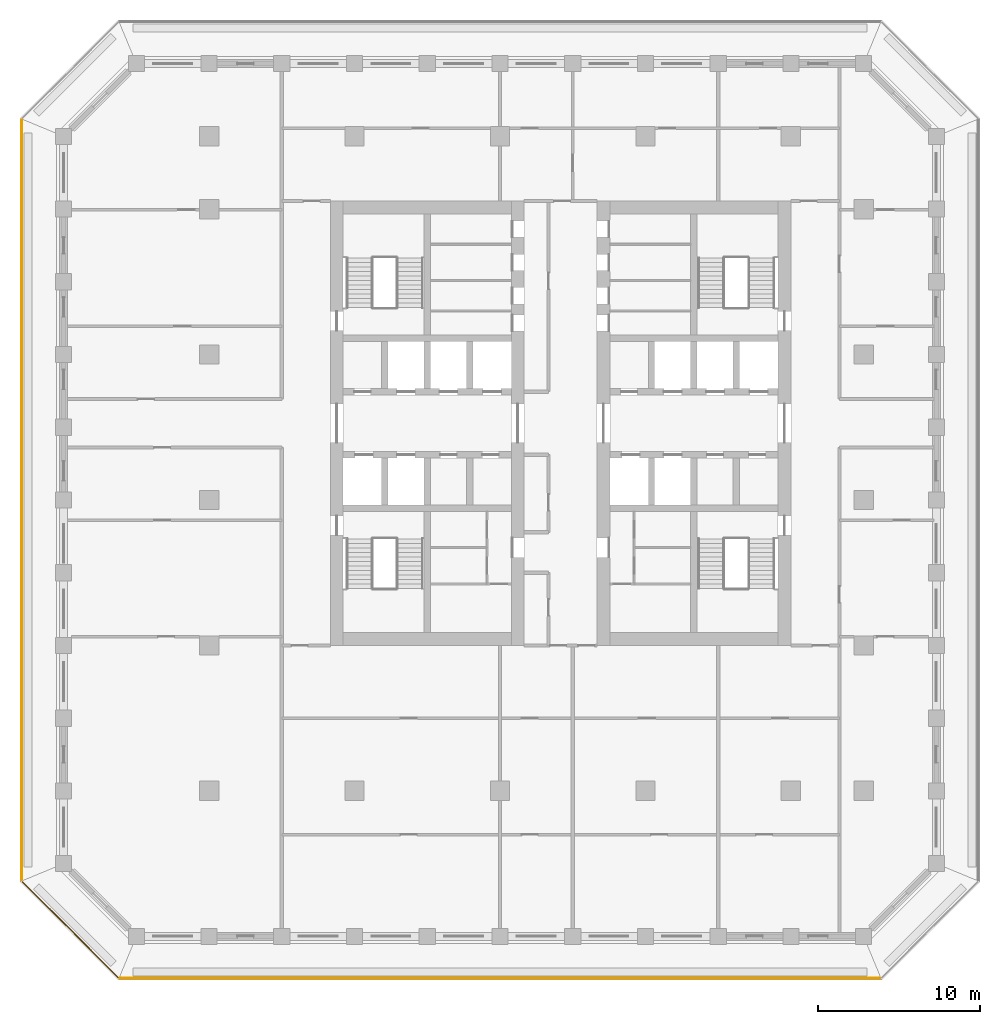
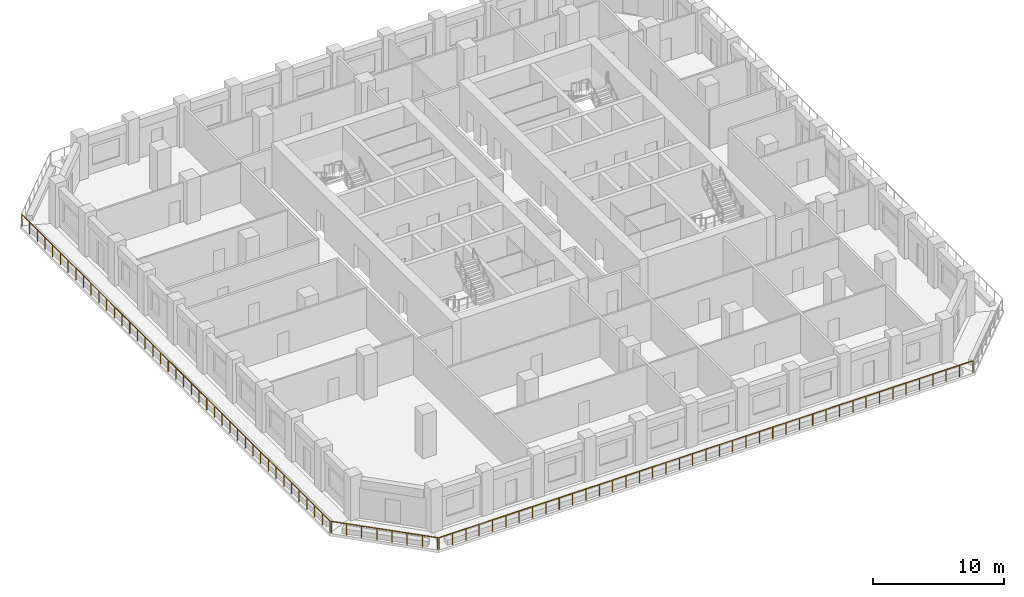
# One storey, part 9 of 16: 3 railings.
"""IFC4 building model written with IfcOpenShell, lengths in metres."""

import ifcopenshell
import ifcopenshell.guid

model = None  # the IFC model being written
_history = None  # IfcOwnerHistory: only IFC2X3 demands one
_inside = {}  # id of a spatial element -> (the spatial element, [elements in it])
_under = {}  # id of a project, library or spatial element -> (it, [spatial elements below it])
_declared = {}  # id of a project -> (the project, [libraries it declares])
_typed = {}  # id of a type object -> (the type object, [elements of that type])
_made_of = {}  # id of a material, layer set ... -> (it, [elements and type objects made of it])


def new_model(schema):
    """Start an empty IFC model of exactly this schema.

    Asked for "IFC4X3", IfcOpenShell would pick the latest addendum, in which some entities
    have other attributes; the version numbers below select the first issue.
    IFC2X3 requires an IfcOwnerHistory on every rooted entity: one is made here for all.
    """
    global model, _history
    if schema == "IFC4X3":
        model = ifcopenshell.file(schema_version=(4, 3, 0, 0))
    else:
        model = ifcopenshell.file(schema=schema)
    _inside.clear()
    _under.clear()
    _declared.clear()
    _typed.clear()
    _made_of.clear()
    _history = None
    if model.schema == "IFC2X3":
        org = make("IfcOrganization", Name="unknown")
        user = make(
            "IfcPersonAndOrganization",
            ThePerson=make("IfcPerson", FamilyName="unknown"),
            TheOrganization=org,
        )
        app = make(
            "IfcApplication",
            ApplicationDeveloper=org,
            Version="unknown",
            ApplicationFullName="unknown",
            ApplicationIdentifier="unknown",
        )
        _history = make(
            "IfcOwnerHistory",
            OwningUser=user,
            OwningApplication=app,
            ChangeAction="ADDED",
            CreationDate=0,
        )
    return model


def make(cls, **values):
    """One entity of the class cls with the attributes given. An attribute that is None is left unset."""
    return model.create_entity(
        cls, **{name: value for name, value in values.items() if value is not None}
    )


def rooted(cls, **values):
    """An entity with a GlobalId (a new one), such as an element, a storey or a relation."""
    return make(cls, GlobalId=ifcopenshell.guid.new(), OwnerHistory=_history, **values)


def si_unit(unit_type, name, prefix=None):
    """IfcSIUnit, for example si_unit("LENGTHUNIT", "METRE", prefix="MILLI")."""
    return make("IfcSIUnit", UnitType=unit_type, Prefix=prefix, Name=name)


def assignment(units):
    """IfcUnitAssignment: the units of a project."""
    return None if units is None else make("IfcUnitAssignment", Units=units)


def point(xyz):
    """IfcCartesianPoint."""
    return None if xyz is None else make("IfcCartesianPoint", Coordinates=xyz)


def direction(xyz):
    """IfcDirection."""
    return None if xyz is None else make("IfcDirection", DirectionRatios=xyz)


def frame(location, z_axis=None, x_axis=None):
    """IfcAxis2Placement3D, a coordinate frame: its origin and axes. An axis left out is left unset."""
    return make(
        "IfcAxis2Placement3D",
        Location=point(location),
        Axis=direction(z_axis),
        RefDirection=direction(x_axis),
    )


def frame_2d(location, x_axis=None):
    """IfcAxis2Placement2D, a coordinate frame in the plane: its origin and x axis."""
    return make(
        "IfcAxis2Placement2D", Location=point(location), RefDirection=direction(x_axis)
    )


def origin():
    """The frame at (0, 0, 0) with its axes left unset."""
    return frame((0.0, 0.0, 0.0))


def origin_2d():
    """The frame at (0, 0) in the plane with its x axis left unset."""
    return frame_2d((0.0, 0.0))


def place(relative_to, where):
    """IfcLocalPlacement: puts the frame where relative to a parent placement (None: the world)."""
    return make(
        "IfcLocalPlacement", PlacementRelTo=relative_to, RelativePlacement=where
    )


def context(
    kind, dimensions, precision=None, world=None, true_north=None, identifier=None
):
    """IfcGeometricRepresentationContext, for example the 3D "Model" context."""
    return make(
        "IfcGeometricRepresentationContext",
        ContextIdentifier=identifier,
        ContextType=kind,
        CoordinateSpaceDimension=dimensions,
        Precision=precision,
        WorldCoordinateSystem=world,
        TrueNorth=true_north,
    )


def subcontext(parent, identifier, kind, view, scale=None):
    """IfcGeometricRepresentationSubContext, for example "Body" below "Model"."""
    return make(
        "IfcGeometricRepresentationSubContext",
        ContextIdentifier=identifier,
        ContextType=kind,
        ParentContext=parent,
        TargetScale=scale,
        TargetView=view,
    )


def project(units=None, contexts=None):
    """IfcProject with its units and contexts."""
    return rooted(
        "IfcProject",
        Name="project",
        RepresentationContexts=contexts,
        UnitsInContext=assignment(units),
    )


def spatial(cls, under=None, at=None, **own):
    """A site, building, storey or space (cls), placed at a placement, below another one or the project."""
    s = rooted(cls, ObjectPlacement=at, **own)
    if under is not None:
        _under.setdefault(under.id(), (under, []))[1].append(s)
    return s


def profile(cls, at=None, kind="AREA", **sizes):
    """A parametric profile (cls). Its sizes go by their IFC names, for example OverallWidth=200.0."""
    return make(cls, ProfileType=kind, Position=at, **sizes)


def circle(**sizes):
    """IfcCircleProfileDef."""
    return profile("IfcCircleProfileDef", **sizes)


def extrude(swept, where, along, depth):
    """IfcExtrudedAreaSolid: the profile swept, set in the frame where, extruded along a direction by depth."""
    return make(
        "IfcExtrudedAreaSolid",
        SweptArea=swept,
        Position=where,
        ExtrudedDirection=direction(along),
        Depth=depth,
    )


def shape(context_of_items, identifier, shape_type, items):
    """IfcShapeRepresentation: the items that make up one representation, for example the "Body"."""
    return make(
        "IfcShapeRepresentation",
        ContextOfItems=context_of_items,
        RepresentationIdentifier=identifier,
        RepresentationType=shape_type,
        Items=items,
    )


def material(Name=None, Category=None):
    """IfcMaterial."""
    return make("IfcMaterial", Name=Name, Category=Category)


def made_of(thing, what):
    """Note that an element or type object is made of a material, layer set ...; save() writes the relation."""
    if what is not None:
        _made_of.setdefault(what.id(), (what, []))[1].append(thing)
    return thing


def type_object(cls, material=None, **own):
    """A type object (cls), such as IfcWallType, which elements share."""
    return made_of(rooted(cls, **own), material)


def element(
    cls,
    number,
    at=None,
    inside=None,
    cuts=None,
    type_object=None,
    material=None,
    context=None,
    identifier="Body",
    shape_type=None,
    held_by="IfcProductDefinitionShape",
    body=None,
    shapes=None,
    **own,
):
    """One element of the class cls, such as IfcWall. Its Tag is "e" and its number.

    at: its placement. inside: the storey or other place that contains it. cuts: it is an
    opening in that element (IfcRelVoidsElement). A single representation is given by context,
    identifier, shape_type and body (its items); several are given by shapes. held_by: the class
    of the entity that holds the representations. save() writes the other relations.
    """
    e = rooted(cls, Tag="e%d" % number, ObjectPlacement=at, **own)
    if body is not None:
        shapes = [shape(context, identifier, shape_type, body)]
    if shapes is not None:
        e.Representation = make(held_by, Representations=shapes)
    if inside is not None:
        _inside.setdefault(inside.id(), (inside, []))[1].append(e)
    if cuts is not None:
        rooted(
            "IfcRelVoidsElement", RelatingBuildingElement=cuts, RelatedOpeningElement=e
        )
    if type_object is not None:
        _typed.setdefault(type_object.id(), (type_object, []))[1].append(e)
    return made_of(e, material)


def aggregate(whole, parts):
    """IfcRelAggregates: a whole, such as a stair, and the parts it consists of."""
    return rooted("IfcRelAggregates", RelatingObject=whole, RelatedObjects=parts)


def save(model, path):
    """Write the relations noted so far, then the file.

    IfcRelAggregates (storeys below a building ...), IfcRelContainedInSpatialStructure (elements
    in a storey), IfcRelDefinesByType, IfcRelAssociatesMaterial and IfcRelDeclares: one each for
    every whole, place, type object, material and project.
    """
    for whole, parts in _under.values():
        aggregate(whole, parts)
    for where, things in _inside.values():
        rooted(
            "IfcRelContainedInSpatialStructure",
            RelatedElements=things,
            RelatingStructure=where,
        )
    for kind, things in _typed.values():
        rooted("IfcRelDefinesByType", RelatedObjects=things, RelatingType=kind)
    for what, things in _made_of.values():
        rooted("IfcRelAssociatesMaterial", RelatedObjects=things, RelatingMaterial=what)
    for by, libraries in _declared.values():
        rooted("IfcRelDeclares", RelatingContext=by, RelatedDefinitions=libraries)
    model.write(path)


model = new_model("IFC4")

# Units and contexts
model_context = context("Model", 3, precision=1e-05, world=origin(), true_north=direction((0.0, 1.0)))
body_context = subcontext(model_context, "Body", "Model", "MODEL_VIEW")
ifc_project = project(units=[si_unit("LENGTHUNIT", "METRE"), si_unit("AREAUNIT", "SQUARE_METRE"), si_unit("VOLUMEUNIT", "CUBIC_METRE"), si_unit("PLANEANGLEUNIT", "RADIAN"), si_unit("MASSUNIT", "GRAM", prefix="KILO")], contexts=[model_context])

# Site, building, storey
site_placement = place(None, origin())
site = spatial("IfcSite", under=ifc_project, at=site_placement, CompositionType="ELEMENT")
building_placement = place(site_placement, origin())
building = spatial("IfcBuilding", under=site, at=building_placement, Name="Corbel Stack Research Tower", CompositionType="ELEMENT")
storey_placement = place(building_placement, frame((0.0, 0.0, 160.89990234375)))
storey = spatial("IfcBuildingStorey", under=building, at=storey_placement, Name="L36", CompositionType="ELEMENT", Elevation=160.89990234375)

# Railings
ifc_material = material(Name="Powder-coated steel guard", Category="steel")
railing_type = type_object("IfcRailingType", Name="Steel and glass guard 1100", PredefinedType="GUARDRAIL", material=ifc_material)
railing_1_placement = place(storey_placement, frame((-23.50537109375, -29.60009765625, 0.0)))
element("IfcRailing", 1, at=railing_1_placement, inside=storey, type_object=railing_type, Name="Loggia guard L36 S", PredefinedType="GUARDRAIL", context=body_context, shape_type="SweptSolid", body=[
    extrude(circle(Radius=0.02392578125, at=origin_2d()), frame((0.0, 0.0, 1.076171875), z_axis=(1.0, 0.0, 0.0), x_axis=(0.0, 1.0, 0.0)), (0.0, 0.0, 1.0), 47.0107421875),
    extrude(circle(Radius=0.02099609375, at=origin_2d()), origin(), (0.0, 0.0, 1.0), 1.052001953125),
    extrude(circle(Radius=0.02099609375, at=origin_2d()), frame((1.17529296875, 0.0, 0.0)), (0.0, 0.0, 1.0), 1.052001953125),
    extrude(circle(Radius=0.02099609375, at=origin_2d()), frame((2.3505859375, 0.0, 0.0)), (0.0, 0.0, 1.0), 1.052001953125),
    extrude(circle(Radius=0.02099609375, at=origin_2d()), frame((3.52587890625, 0.0, 0.0)), (0.0, 0.0, 1.0), 1.052001953125),
    extrude(circle(Radius=0.02099609375, at=origin_2d()), frame((4.701171875, 0.0, 0.0)), (0.0, 0.0, 1.0), 1.052001953125),
    extrude(circle(Radius=0.02099609375, at=origin_2d()), frame((5.87646484375, 0.0, 0.0)), (0.0, 0.0, 1.0), 1.052001953125),
    extrude(circle(Radius=0.02099609375, at=origin_2d()), frame((7.051513671875, 0.0, 0.0)), (0.0, 0.0, 1.0), 1.052001953125),
    extrude(circle(Radius=0.02099609375, at=origin_2d()), frame((8.226806640625, 0.0, 0.0)), (0.0, 0.0, 1.0), 1.052001953125),
    extrude(circle(Radius=0.02099609375, at=origin_2d()), frame((9.402099609375, 0.0, 0.0)), (0.0, 0.0, 1.0), 1.052001953125),
    extrude(circle(Radius=0.02099609375, at=origin_2d()), frame((10.577392578125, 0.0, 0.0)), (0.0, 0.0, 1.0), 1.052001953125),
    extrude(circle(Radius=0.02099609375, at=origin_2d()), frame((11.752685546875, 0.0, 0.0)), (0.0, 0.0, 1.0), 1.052001953125),
    extrude(circle(Radius=0.02099609375, at=origin_2d()), frame((12.927978515625, 0.0, 0.0)), (0.0, 0.0, 1.0), 1.052001953125),
    extrude(circle(Radius=0.02099609375, at=origin_2d()), frame((14.103271484375, 0.0, 0.0)), (0.0, 0.0, 1.0), 1.052001953125),
    extrude(circle(Radius=0.02099609375, at=origin_2d()), frame((15.278564453125, 0.0, 0.0)), (0.0, 0.0, 1.0), 1.052001953125),
    extrude(circle(Radius=0.02099609375, at=origin_2d()), frame((16.453857421875, 0.0, 0.0)), (0.0, 0.0, 1.0), 1.052001953125),
    extrude(circle(Radius=0.02099609375, at=origin_2d()), frame((17.62890625, 0.0, 0.0)), (0.0, 0.0, 1.0), 1.052001953125),
    extrude(circle(Radius=0.02099609375, at=origin_2d()), frame((18.80419921875, 0.0, 0.0)), (0.0, 0.0, 1.0), 1.052001953125),
    extrude(circle(Radius=0.02099609375, at=origin_2d()), frame((19.9794921875, 0.0, 0.0)), (0.0, 0.0, 1.0), 1.052001953125),
    extrude(circle(Radius=0.02099609375, at=origin_2d()), frame((21.15478515625, 0.0, 0.0)), (0.0, 0.0, 1.0), 1.052001953125),
    extrude(circle(Radius=0.02099609375, at=origin_2d()), frame((22.330078125, 0.0, 0.0)), (0.0, 0.0, 1.0), 1.052001953125),
    extrude(circle(Radius=0.02099609375, at=origin_2d()), frame((23.50537109375, 0.0, 0.0)), (0.0, 0.0, 1.0), 1.052001953125),
    extrude(circle(Radius=0.02099609375, at=origin_2d()), frame((24.6806640625, 0.0, 0.0)), (0.0, 0.0, 1.0), 1.052001953125),
    extrude(circle(Radius=0.02099609375, at=origin_2d()), frame((25.85595703125, 0.0, 0.0)), (0.0, 0.0, 1.0), 1.052001953125),
    extrude(circle(Radius=0.02099609375, at=origin_2d()), frame((27.03125, 0.0, 0.0)), (0.0, 0.0, 1.0), 1.052001953125),
    extrude(circle(Radius=0.02099609375, at=origin_2d()), frame((28.20654296875, 0.0, 0.0)), (0.0, 0.0, 1.0), 1.052001953125),
    extrude(circle(Radius=0.02099609375, at=origin_2d()), frame((29.3818359375, 0.0, 0.0)), (0.0, 0.0, 1.0), 1.052001953125),
    extrude(circle(Radius=0.02099609375, at=origin_2d()), frame((30.556884765625, 0.0, 0.0)), (0.0, 0.0, 1.0), 1.052001953125),
    extrude(circle(Radius=0.02099609375, at=origin_2d()), frame((31.732177734375, 0.0, 0.0)), (0.0, 0.0, 1.0), 1.052001953125),
    extrude(circle(Radius=0.02099609375, at=origin_2d()), frame((32.907470703125, 0.0, 0.0)), (0.0, 0.0, 1.0), 1.052001953125),
    extrude(circle(Radius=0.02099609375, at=origin_2d()), frame((34.082763671875, 0.0, 0.0)), (0.0, 0.0, 1.0), 1.052001953125),
    extrude(circle(Radius=0.02099609375, at=origin_2d()), frame((35.258056640625, 0.0, 0.0)), (0.0, 0.0, 1.0), 1.052001953125),
    extrude(circle(Radius=0.02099609375, at=origin_2d()), frame((36.433349609375, 0.0, 0.0)), (0.0, 0.0, 1.0), 1.052001953125),
    extrude(circle(Radius=0.02099609375, at=origin_2d()), frame((37.608642578125, 0.0, 0.0)), (0.0, 0.0, 1.0), 1.052001953125),
    extrude(circle(Radius=0.02099609375, at=origin_2d()), frame((38.783935546875, 0.0, 0.0)), (0.0, 0.0, 1.0), 1.052001953125),
    extrude(circle(Radius=0.02099609375, at=origin_2d()), frame((39.959228515625, 0.0, 0.0)), (0.0, 0.0, 1.0), 1.052001953125),
    extrude(circle(Radius=0.02099609375, at=origin_2d()), frame((41.13427734375, 0.0, 0.0)), (0.0, 0.0, 1.0), 1.052001953125),
    extrude(circle(Radius=0.02099609375, at=origin_2d()), frame((42.3095703125, 0.0, 0.0)), (0.0, 0.0, 1.0), 1.052001953125),
    extrude(circle(Radius=0.02099609375, at=origin_2d()), frame((43.48486328125, 0.0, 0.0)), (0.0, 0.0, 1.0), 1.052001953125),
    extrude(circle(Radius=0.02099609375, at=origin_2d()), frame((44.66015625, 0.0, 0.0)), (0.0, 0.0, 1.0), 1.052001953125),
    extrude(circle(Radius=0.02099609375, at=origin_2d()), frame((45.83544921875, 0.0, 0.0)), (0.0, 0.0, 1.0), 1.052001953125),
    extrude(circle(Radius=0.02099609375, at=origin_2d()), frame((47.0107421875, 0.0, 0.0)), (0.0, 0.0, 1.0), 1.052001953125),
])
railing_2_placement = place(storey_placement, frame((-29.60009765625, 23.50537109375, 0.0)))
element("IfcRailing", 2, at=railing_2_placement, inside=storey, type_object=railing_type, Name="Loggia guard L36 W", PredefinedType="GUARDRAIL", context=body_context, shape_type="SweptSolid", body=[
    extrude(circle(Radius=0.02392578125, at=origin_2d()), frame((0.0, 0.0, 1.076171875), z_axis=(0.0, -1.0, 0.0), x_axis=(1.0, 0.0, 0.0)), (0.0, 0.0, 1.0), 47.0107421875),
    extrude(circle(Radius=0.02099609375, at=origin_2d()), origin(), (0.0, 0.0, 1.0), 1.052001953125),
    extrude(circle(Radius=0.02099609375, at=origin_2d()), frame((0.0, -1.17529296875, 0.0)), (0.0, 0.0, 1.0), 1.052001953125),
    extrude(circle(Radius=0.02099609375, at=origin_2d()), frame((0.0, -2.3505859375, 0.0)), (0.0, 0.0, 1.0), 1.052001953125),
    extrude(circle(Radius=0.02099609375, at=origin_2d()), frame((0.0, -3.52587890625, 0.0)), (0.0, 0.0, 1.0), 1.052001953125),
    extrude(circle(Radius=0.02099609375, at=origin_2d()), frame((0.0, -4.701171875, 0.0)), (0.0, 0.0, 1.0), 1.052001953125),
    extrude(circle(Radius=0.02099609375, at=origin_2d()), frame((0.0, -5.87646484375, 0.0)), (0.0, 0.0, 1.0), 1.052001953125),
    extrude(circle(Radius=0.02099609375, at=origin_2d()), frame((0.0, -7.051513671875, 0.0)), (0.0, 0.0, 1.0), 1.052001953125),
    extrude(circle(Radius=0.02099609375, at=origin_2d()), frame((0.0, -8.226806640625, 0.0)), (0.0, 0.0, 1.0), 1.052001953125),
    extrude(circle(Radius=0.02099609375, at=origin_2d()), frame((0.0, -9.402099609375, 0.0)), (0.0, 0.0, 1.0), 1.052001953125),
    extrude(circle(Radius=0.02099609375, at=origin_2d()), frame((0.0, -10.577392578125, 0.0)), (0.0, 0.0, 1.0), 1.052001953125),
    extrude(circle(Radius=0.02099609375, at=origin_2d()), frame((0.0, -11.752685546875, 0.0)), (0.0, 0.0, 1.0), 1.052001953125),
    extrude(circle(Radius=0.02099609375, at=origin_2d()), frame((0.0, -12.927978515625, 0.0)), (0.0, 0.0, 1.0), 1.052001953125),
    extrude(circle(Radius=0.02099609375, at=origin_2d()), frame((0.0, -14.103271484375, 0.0)), (0.0, 0.0, 1.0), 1.052001953125),
    extrude(circle(Radius=0.02099609375, at=origin_2d()), frame((0.0, -15.278564453125, 0.0)), (0.0, 0.0, 1.0), 1.052001953125),
    extrude(circle(Radius=0.02099609375, at=origin_2d()), frame((0.0, -16.453857421875, 0.0)), (0.0, 0.0, 1.0), 1.052001953125),
    extrude(circle(Radius=0.02099609375, at=origin_2d()), frame((0.0, -17.62890625, 0.0)), (0.0, 0.0, 1.0), 1.052001953125),
    extrude(circle(Radius=0.02099609375, at=origin_2d()), frame((0.0, -18.80419921875, 0.0)), (0.0, 0.0, 1.0), 1.052001953125),
    extrude(circle(Radius=0.02099609375, at=origin_2d()), frame((0.0, -19.9794921875, 0.0)), (0.0, 0.0, 1.0), 1.052001953125),
    extrude(circle(Radius=0.02099609375, at=origin_2d()), frame((0.0, -21.15478515625, 0.0)), (0.0, 0.0, 1.0), 1.052001953125),
    extrude(circle(Radius=0.02099609375, at=origin_2d()), frame((0.0, -22.330078125, 0.0)), (0.0, 0.0, 1.0), 1.052001953125),
    extrude(circle(Radius=0.02099609375, at=origin_2d()), frame((0.0, -23.50537109375, 0.0)), (0.0, 0.0, 1.0), 1.052001953125),
    extrude(circle(Radius=0.02099609375, at=origin_2d()), frame((0.0, -24.6806640625, 0.0)), (0.0, 0.0, 1.0), 1.052001953125),
    extrude(circle(Radius=0.02099609375, at=origin_2d()), frame((0.0, -25.85595703125, 0.0)), (0.0, 0.0, 1.0), 1.052001953125),
    extrude(circle(Radius=0.02099609375, at=origin_2d()), frame((0.0, -27.03125, 0.0)), (0.0, 0.0, 1.0), 1.052001953125),
    extrude(circle(Radius=0.02099609375, at=origin_2d()), frame((0.0, -28.20654296875, 0.0)), (0.0, 0.0, 1.0), 1.052001953125),
    extrude(circle(Radius=0.02099609375, at=origin_2d()), frame((0.0, -29.3818359375, 0.0)), (0.0, 0.0, 1.0), 1.052001953125),
    extrude(circle(Radius=0.02099609375, at=origin_2d()), frame((0.0, -30.556884765625, 0.0)), (0.0, 0.0, 1.0), 1.052001953125),
    extrude(circle(Radius=0.02099609375, at=origin_2d()), frame((0.0, -31.732177734375, 0.0)), (0.0, 0.0, 1.0), 1.052001953125),
    extrude(circle(Radius=0.02099609375, at=origin_2d()), frame((0.0, -32.907470703125, 0.0)), (0.0, 0.0, 1.0), 1.052001953125),
    extrude(circle(Radius=0.02099609375, at=origin_2d()), frame((0.0, -34.082763671875, 0.0)), (0.0, 0.0, 1.0), 1.052001953125),
    extrude(circle(Radius=0.02099609375, at=origin_2d()), frame((0.0, -35.258056640625, 0.0)), (0.0, 0.0, 1.0), 1.052001953125),
    extrude(circle(Radius=0.02099609375, at=origin_2d()), frame((0.0, -36.433349609375, 0.0)), (0.0, 0.0, 1.0), 1.052001953125),
    extrude(circle(Radius=0.02099609375, at=origin_2d()), frame((0.0, -37.608642578125, 0.0)), (0.0, 0.0, 1.0), 1.052001953125),
    extrude(circle(Radius=0.02099609375, at=origin_2d()), frame((0.0, -38.783935546875, 0.0)), (0.0, 0.0, 1.0), 1.052001953125),
    extrude(circle(Radius=0.02099609375, at=origin_2d()), frame((0.0, -39.959228515625, 0.0)), (0.0, 0.0, 1.0), 1.052001953125),
    extrude(circle(Radius=0.02099609375, at=origin_2d()), frame((0.0, -41.13427734375, 0.0)), (0.0, 0.0, 1.0), 1.052001953125),
    extrude(circle(Radius=0.02099609375, at=origin_2d()), frame((0.0, -42.3095703125, 0.0)), (0.0, 0.0, 1.0), 1.052001953125),
    extrude(circle(Radius=0.02099609375, at=origin_2d()), frame((0.0, -43.48486328125, 0.0)), (0.0, 0.0, 1.0), 1.052001953125),
    extrude(circle(Radius=0.02099609375, at=origin_2d()), frame((0.0, -44.66015625, 0.0)), (0.0, 0.0, 1.0), 1.052001953125),
    extrude(circle(Radius=0.02099609375, at=origin_2d()), frame((0.0, -45.83544921875, 0.0)), (0.0, 0.0, 1.0), 1.052001953125),
    extrude(circle(Radius=0.02099609375, at=origin_2d()), frame((0.0, -47.0107421875, 0.0)), (0.0, 0.0, 1.0), 1.052001953125),
])
railing_3_placement = place(storey_placement, frame((-29.54931640625, -23.627685546875, 0.0)))
element("IfcRailing", 3, at=railing_3_placement, inside=storey, type_object=railing_type, Name="Loggia guard L36 SW", PredefinedType="GUARDRAIL", context=body_context, shape_type="SweptSolid", body=[
    extrude(circle(Radius=0.02392578125, at=origin_2d()), frame((0.0, 0.0, 1.076171875), z_axis=(0.707106781187, -0.707106781187, 0.0), x_axis=(0.707106781187, 0.707106781187, 0.0)), (0.0, 0.0, 1.0), 8.37451171875),
    extrude(circle(Radius=0.02099609375, at=origin_2d()), origin(), (0.0, 0.0, 1.0), 1.052001953125),
    extrude(circle(Radius=0.02099609375, at=origin_2d()), frame((0.845947265625, -0.845947265625, 0.0)), (0.0, 0.0, 1.0), 1.052001953125),
    extrude(circle(Radius=0.02099609375, at=origin_2d()), frame((1.69189453125, -1.69189453125, 0.0)), (0.0, 0.0, 1.0), 1.052001953125),
    extrude(circle(Radius=0.02099609375, at=origin_2d()), frame((2.537841796875, -2.537841796875, 0.0)), (0.0, 0.0, 1.0), 1.052001953125),
    extrude(circle(Radius=0.02099609375, at=origin_2d()), frame((3.3837890625, -3.3837890625, 0.0)), (0.0, 0.0, 1.0), 1.052001953125),
    extrude(circle(Radius=0.02099609375, at=origin_2d()), frame((4.229736328125, -4.229736328125, 0.0)), (0.0, 0.0, 1.0), 1.052001953125),
    extrude(circle(Radius=0.02099609375, at=origin_2d()), frame((5.07568359375, -5.07568359375, 0.0)), (0.0, 0.0, 1.0), 1.052001953125),
    extrude(circle(Radius=0.02099609375, at=origin_2d()), frame((5.921630859375, -5.921630859375, 0.0)), (0.0, 0.0, 1.0), 1.052001953125),
])

save(model, "model.ifc")
